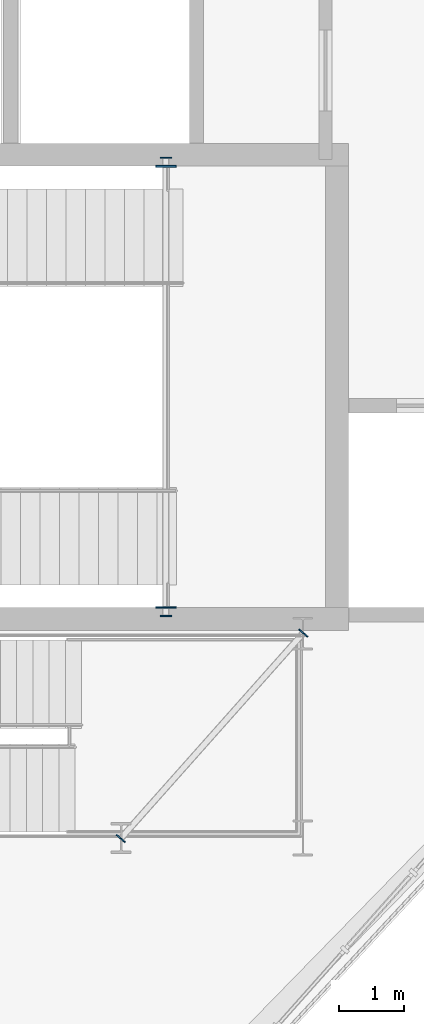
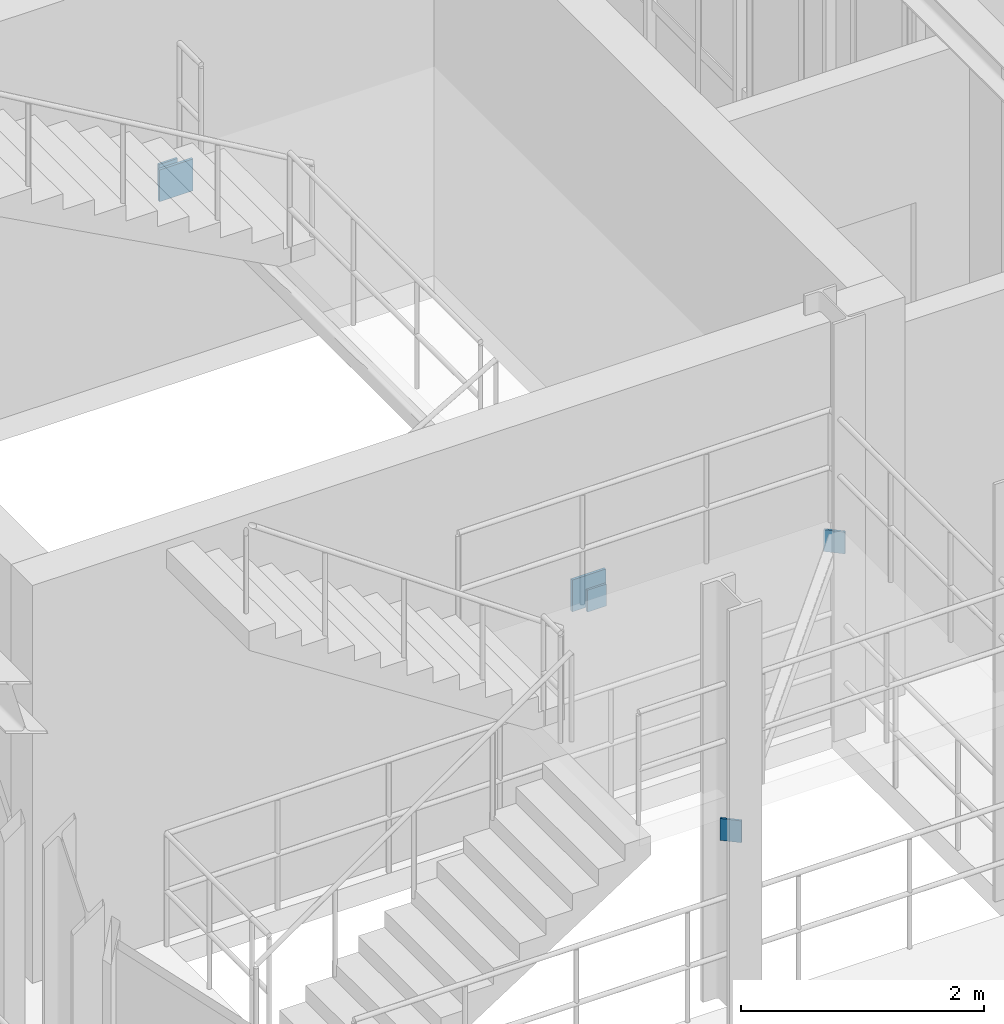
# One storey, part 35 of 57: 6 plates.
"""IFC4 building model written with IfcOpenShell, lengths in metres."""

from ifc_helpers import new_model, si_unit, direction, frame, origin, origin_2d, place, context, subcontext, project, spatial, rectangle, extrude, material, layer, layer_set, type_object, element, save


model = new_model("IFC4")

# Units and contexts
model_context = context("Model", 3, precision=1e-05, world=origin(), true_north=direction((0.0, 1.0)))
body_context = subcontext(model_context, "Body", "Model", "MODEL_VIEW")
ifc_project = project(units=[si_unit("LENGTHUNIT", "METRE"), si_unit("AREAUNIT", "SQUARE_METRE"), si_unit("VOLUMEUNIT", "CUBIC_METRE"), si_unit("PLANEANGLEUNIT", "RADIAN"), si_unit("MASSUNIT", "GRAM", prefix="KILO"), si_unit("THERMODYNAMICTEMPERATUREUNIT", "KELVIN"), si_unit("POWERUNIT", "WATT")], contexts=[model_context])

# Site, building, storey
site_placement = place(None, origin())
site = spatial("IfcSite", under=ifc_project, at=site_placement, CompositionType="ELEMENT")
building_placement = place(site_placement, origin())
building = spatial("IfcBuilding", under=site, at=building_placement, Name="Solvatero Civic Police Headquarters", CompositionType="ELEMENT")
storey_placement = place(building_placement, frame((0.0, 0.0, 9.300048828125)))
storey = spatial("IfcBuildingStorey", under=building, at=storey_placement, Name="L02", CompositionType="ELEMENT", Elevation=9.300048828125)

# Plates
ifc_material = material(Name="Steel S355", Category="steel")
ifc_layer_1 = layer(ifc_material, 0.02001953125)
ifc_layer_set_1 = layer_set([ifc_layer_1], Name="Steel S355")
plate_type_1 = type_object("IfcPlateType", Name="PLT-CAP-20", PredefinedType="SHEET", material=ifc_layer_set_1)
for number, where, z_axis, x_axis, name in (
    (1, (43.340087890625, 15.8701171875, 1.71484375), (0.0, 0.0, 1.0), (1.0, 0.0, 0.0), "Hollow Section Cap Plate 0009"),
    (2, (43.340087890625, 22.929931640625, 1.71484375), (0.0, 0.0, 1.0), (1.0, 0.0, 0.0), "Hollow Section Cap Plate 0010"),
):
    element("IfcPlate", number, at=place(storey_placement, frame(where, z_axis=z_axis, x_axis=x_axis)), inside=storey, type_object=plate_type_1, Name=name, PredefinedType="SHEET", context=body_context, shape_type="SweptSolid", body=[
        extrude(rectangle(XDim=0.179931640625, YDim=0.02001953125, at=origin_2d()), origin(), (0.0, 0.0, 1.0), 0.219970703125),
    ])
for number, where, z_axis, x_axis, name in (
    (3, (42.643310546875, 12.4423828125, 1.7001953125), (0.0, 0.0, 1.0), (0.664369848049, 0.747403977112, 0.0), "Hollow Section Cap Plate 0081"),
    (4, (45.45654296875, 15.607421875, 1.7001953125), (0.0, 0.0, 1.0), (0.664369848049, 0.747403977112, 0.0), "Hollow Section Cap Plate 0082"),
):
    element("IfcPlate", number, at=place(storey_placement, frame(where, z_axis=z_axis, x_axis=x_axis)), inside=storey, type_object=plate_type_1, Name=name, PredefinedType="SHEET", context=body_context, shape_type="SweptSolid", body=[
        extrude(rectangle(XDim=0.02001953125, YDim=0.179931640625, at=origin_2d()), origin(), (0.0, 0.0, 1.0), 0.219970703125),
    ])
ifc_layer_2 = layer(ifc_material, 0.02490234375)
ifc_layer_set_2 = layer_set([ifc_layer_2], Name="Steel S355")
plate_type_2 = type_object("IfcPlateType", Name="PLT-EMB-25", PredefinedType="SHEET", material=ifc_layer_set_2)
for number, where, z_axis, x_axis, name in (
    (5, (43.340087890625, 16.0, 1.6650390625), (0.0, 0.0, 1.0), (1.0, 0.0, 0.0), "Cast-In Shear Wall Embed Plate 0009"),
    (6, (43.340087890625, 22.800048828125, 1.6650390625), (0.0, 0.0, 1.0), (1.0, 0.0, 0.0), "Cast-In Shear Wall Embed Plate 0010"),
):
    element("IfcPlate", number, at=place(storey_placement, frame(where, z_axis=z_axis, x_axis=x_axis)), inside=storey, type_object=plate_type_2, Name=name, PredefinedType="SHEET", context=body_context, shape_type="SweptSolid", body=[
        extrude(rectangle(XDim=0.320068359375, YDim=0.02490234375, at=origin_2d()), origin(), (0.0, 0.0, 1.0), 0.320068359375),
    ])

save(model, "model.ifc")
